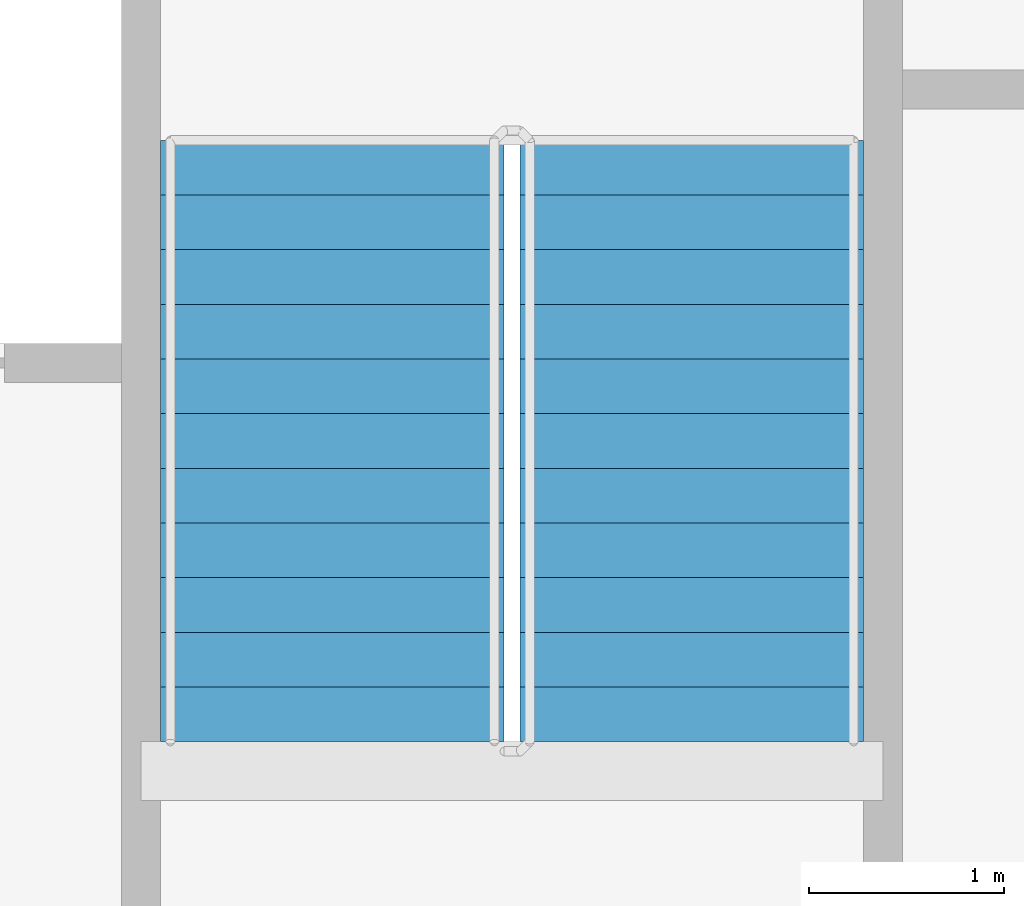
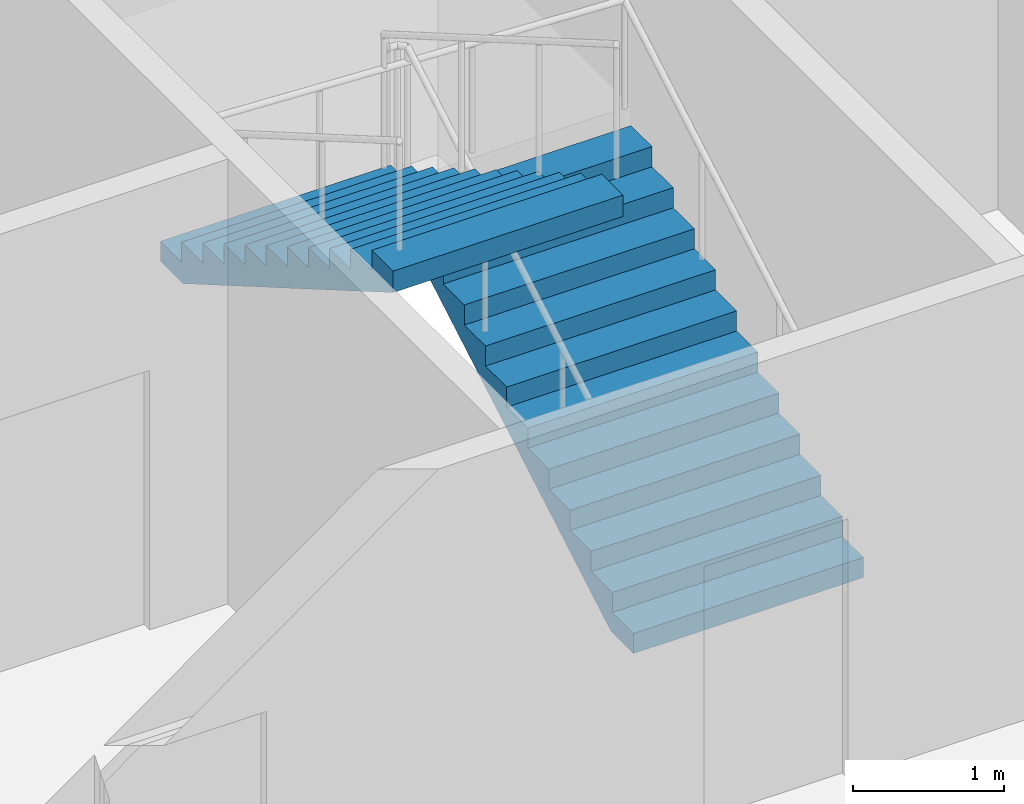
# One storey, part 10 of 13: 2 stair flights, 1 element without a shape of its own.
"""IFC4 building model written with IfcOpenShell, lengths in metres."""

from ifc_helpers import new_model, si_unit, direction, frame, origin, place, context, subcontext, project, spatial, faceted_brep, material, type_object, element, aggregate, save


model = new_model("IFC4")

# Units and contexts
model_context = context("Model", 3, precision=1e-05, world=origin(), true_north=direction((0.0, 1.0)))
body_context = subcontext(model_context, "Body", "Model", "MODEL_VIEW")
ifc_project = project(units=[si_unit("LENGTHUNIT", "METRE"), si_unit("AREAUNIT", "SQUARE_METRE"), si_unit("VOLUMEUNIT", "CUBIC_METRE"), si_unit("PLANEANGLEUNIT", "RADIAN"), si_unit("MASSUNIT", "GRAM", prefix="KILO")], contexts=[model_context])

# Site, building, storey
site_placement = place(None, origin())
site = spatial("IfcSite", under=ifc_project, at=site_placement, CompositionType="ELEMENT")
building_placement = place(site_placement, origin())
building = spatial("IfcBuilding", under=site, at=building_placement, Name="Tarsis Ring Headquarters", CompositionType="ELEMENT")
storey_placement = place(building_placement, frame((0.0, 0.0, 135.699951171875)))
storey = spatial("IfcBuildingStorey", under=building, at=storey_placement, Name="L31", CompositionType="ELEMENT", Elevation=135.699951171875)

# Stair, stair flights
ifc_material_1 = material(Name="Core stair 1760")
stair_type = type_object("IfcStairType", Name="Core stair 1760", PredefinedType="HALF_TURN_STAIR", material=ifc_material_1)
stair_placement = place(storey_placement, origin())
stair = element("IfcStair", 1, at=stair_placement, inside=storey, type_object=stair_type, Name="L31 Exit stair B", PredefinedType="HALF_TURN_STAIR")
ifc_material_2 = material(Name="Concrete C40/50", Category="concrete")
stair_flight_type = type_object("IfcStairFlightType", Name="Core stair flight 1760", PredefinedType="STRAIGHT", material=ifc_material_2)
stair_flight_1_placement = place(storey_placement, frame((5.419921875, 3.659912109375, 0.0), z_axis=(0.0, 0.0, 1.0), x_axis=(0.0, 1.0, 0.0)))
stair_flight_1 = element("IfcStairFlight", 2, at=stair_flight_1_placement, type_object=stair_flight_type, Name="Stair ST2 flight 1", NumberOfRisers=12, NumberOfTreads=11, PredefinedType="STRAIGHT", RiserHeight=0.1625, TreadLength=0.28, context=body_context, shape_type="Brep", body=[
    faceted_brep([(0.0, 0.8798828125, 0.0), (0.0, 0.8798828125, 0.16259765625), (0.280029296875, 0.8798828125, 0.16259765625), (0.280029296875, 0.8798828125, 0.324951171875), (0.56005859375, 0.8798828125, 0.324951171875), (0.56005859375, 0.8798828125, 0.487548828125), (0.840087890625, 0.8798828125, 0.487548828125), (0.840087890625, 0.8798828125, 0.64990234375), (1.1201171875, 0.8798828125, 0.64990234375), (1.1201171875, 0.8798828125, 0.8125), (1.39990234375, 0.8798828125, 0.8125), (1.39990234375, 0.8798828125, 0.97509765625), (1.679931640625, 0.8798828125, 0.97509765625), (1.679931640625, 0.8798828125, 1.137451171875), (1.9599609375, 0.8798828125, 1.137451171875), (1.9599609375, 0.8798828125, 1.300048828125), (2.239990234375, 0.8798828125, 1.300048828125), (2.239990234375, 0.8798828125, 1.46240234375), (2.52001953125, 0.8798828125, 1.46240234375), (2.52001953125, 0.8798828125, 1.625), (2.800048828125, 0.8798828125, 1.625), (2.800048828125, 0.8798828125, 1.78759765625), (3.080078125, 0.8798828125, 1.78759765625), (3.080078125, 0.8798828125, 1.6142578125), (0.298583984375, 0.8798828125, 0.0), (0.298583984375, -0.8798828125, 0.0), (3.080078125, -0.8798828125, 1.6142578125), (3.080078125, -0.8798828125, 1.78759765625), (2.800048828125, -0.8798828125, 1.78759765625), (2.800048828125, -0.8798828125, 1.625), (2.52001953125, -0.8798828125, 1.625), (2.52001953125, -0.8798828125, 1.46240234375), (2.239990234375, -0.8798828125, 1.46240234375), (2.239990234375, -0.8798828125, 1.300048828125), (1.9599609375, -0.8798828125, 1.300048828125), (1.9599609375, -0.8798828125, 1.137451171875), (1.679931640625, -0.8798828125, 1.137451171875), (1.679931640625, -0.8798828125, 0.97509765625), (1.39990234375, -0.8798828125, 0.97509765625), (1.39990234375, -0.8798828125, 0.8125), (1.1201171875, -0.8798828125, 0.8125), (1.1201171875, -0.8798828125, 0.64990234375), (0.840087890625, -0.8798828125, 0.64990234375), (0.840087890625, -0.8798828125, 0.487548828125), (0.56005859375, -0.8798828125, 0.487548828125), (0.56005859375, -0.8798828125, 0.324951171875), (0.280029296875, -0.8798828125, 0.324951171875), (0.280029296875, -0.8798828125, 0.16259765625), (0.0, -0.8798828125, 0.16259765625), (0.0, -0.8798828125, 0.0), (0.0, -0.43994140625, 0.16259765625), (0.0, -0.43994140625, 0.0), (0.0, 0.0, 0.16259765625), (0.0, 0.0, 0.0), (0.0, 0.43994140625, 0.16259765625), (0.0, 0.43994140625, 0.0), (0.280029296875, -0.43994140625, 0.16259765625), (0.280029296875, 0.0, 0.16259765625), (0.280029296875, 0.43994140625, 0.16259765625), (0.280029296875, -0.43994140625, 0.324951171875), (0.280029296875, 0.0, 0.324951171875), (0.280029296875, 0.43994140625, 0.324951171875), (0.56005859375, -0.43994140625, 0.324951171875), (0.56005859375, 0.0, 0.324951171875), (0.56005859375, 0.43994140625, 0.324951171875), (0.56005859375, -0.43994140625, 0.487548828125), (0.56005859375, 0.0, 0.487548828125), (0.56005859375, 0.43994140625, 0.487548828125), (0.840087890625, -0.43994140625, 0.487548828125), (0.840087890625, 0.0, 0.487548828125), (0.840087890625, 0.43994140625, 0.487548828125), (0.840087890625, -0.43994140625, 0.64990234375), (0.840087890625, 0.0, 0.64990234375), (0.840087890625, 0.43994140625, 0.64990234375), (1.1201171875, -0.43994140625, 0.64990234375), (1.1201171875, 0.0, 0.64990234375), (1.1201171875, 0.43994140625, 0.64990234375), (1.1201171875, -0.43994140625, 0.8125), (1.1201171875, 0.0, 0.8125), (1.1201171875, 0.43994140625, 0.8125), (1.39990234375, -0.43994140625, 0.8125), (1.39990234375, 0.0, 0.8125), (1.39990234375, 0.43994140625, 0.8125), (1.39990234375, -0.43994140625, 0.97509765625), (1.39990234375, 0.0, 0.97509765625), (1.39990234375, 0.43994140625, 0.97509765625), (1.679931640625, -0.43994140625, 0.97509765625), (1.679931640625, 0.0, 0.97509765625), (1.679931640625, 0.43994140625, 0.97509765625), (1.679931640625, -0.43994140625, 1.137451171875), (1.679931640625, 0.0, 1.137451171875), (1.679931640625, 0.43994140625, 1.137451171875), (1.9599609375, -0.43994140625, 1.137451171875), (1.9599609375, 0.0, 1.137451171875), (1.9599609375, 0.43994140625, 1.137451171875), (1.9599609375, -0.43994140625, 1.300048828125), (1.9599609375, 0.0, 1.300048828125), (1.9599609375, 0.43994140625, 1.300048828125), (2.239990234375, -0.43994140625, 1.300048828125), (2.239990234375, 0.0, 1.300048828125), (2.239990234375, 0.43994140625, 1.300048828125), (2.239990234375, -0.43994140625, 1.46240234375), (2.239990234375, 0.0, 1.46240234375), (2.239990234375, 0.43994140625, 1.46240234375), (2.52001953125, -0.43994140625, 1.46240234375), (2.52001953125, 0.0, 1.46240234375), (2.52001953125, 0.43994140625, 1.46240234375), (2.52001953125, -0.43994140625, 1.625), (2.52001953125, 0.0, 1.625), (2.52001953125, 0.43994140625, 1.625), (2.800048828125, -0.43994140625, 1.625), (2.800048828125, 0.0, 1.625), (2.800048828125, 0.43994140625, 1.625), (2.800048828125, -0.43994140625, 1.78759765625), (2.800048828125, 0.0, 1.78759765625), (2.800048828125, 0.43994140625, 1.78759765625), (3.080078125, -0.43994140625, 1.78759765625), (3.080078125, 0.0, 1.78759765625), (3.080078125, 0.43994140625, 1.78759765625), (3.080078125, -0.43994140625, 1.6142578125), (3.080078125, 0.0, 1.6142578125), (3.080078125, 0.43994140625, 1.6142578125), (0.298583984375, -0.43994140625, 0.0), (0.298583984375, 0.0, 0.0), (0.298583984375, 0.43994140625, 0.0)], [[[0, 1, 2, 3, 4, 5, 6, 7, 8, 9, 10, 11, 12, 13, 14, 15, 16, 17, 18, 19, 20, 21, 22, 23, 24]], [[25, 26, 27, 28, 29, 30, 31, 32, 33, 34, 35, 36, 37, 38, 39, 40, 41, 42, 43, 44, 45, 46, 47, 48, 49]], [[49, 48, 50, 51]], [[51, 50, 52, 53]], [[53, 52, 54, 55]], [[55, 54, 1, 0]], [[48, 47, 56, 50]], [[50, 56, 57, 52]], [[52, 57, 58, 54]], [[54, 58, 2, 1]], [[47, 46, 59, 56]], [[56, 59, 60, 57]], [[57, 60, 61, 58]], [[58, 61, 3, 2]], [[46, 45, 62, 59]], [[59, 62, 63, 60]], [[60, 63, 64, 61]], [[61, 64, 4, 3]], [[45, 44, 65, 62]], [[62, 65, 66, 63]], [[63, 66, 67, 64]], [[64, 67, 5, 4]], [[44, 43, 68, 65]], [[65, 68, 69, 66]], [[66, 69, 70, 67]], [[67, 70, 6, 5]], [[43, 42, 71, 68]], [[68, 71, 72, 69]], [[69, 72, 73, 70]], [[70, 73, 7, 6]], [[42, 41, 74, 71]], [[71, 74, 75, 72]], [[72, 75, 76, 73]], [[73, 76, 8, 7]], [[41, 40, 77, 74]], [[74, 77, 78, 75]], [[75, 78, 79, 76]], [[76, 79, 9, 8]], [[40, 39, 80, 77]], [[77, 80, 81, 78]], [[78, 81, 82, 79]], [[79, 82, 10, 9]], [[39, 38, 83, 80]], [[80, 83, 84, 81]], [[81, 84, 85, 82]], [[82, 85, 11, 10]], [[38, 37, 86, 83]], [[83, 86, 87, 84]], [[84, 87, 88, 85]], [[85, 88, 12, 11]], [[37, 36, 89, 86]], [[86, 89, 90, 87]], [[87, 90, 91, 88]], [[88, 91, 13, 12]], [[36, 35, 92, 89]], [[89, 92, 93, 90]], [[90, 93, 94, 91]], [[91, 94, 14, 13]], [[35, 34, 95, 92]], [[92, 95, 96, 93]], [[93, 96, 97, 94]], [[94, 97, 15, 14]], [[34, 33, 98, 95]], [[95, 98, 99, 96]], [[96, 99, 100, 97]], [[97, 100, 16, 15]], [[33, 32, 101, 98]], [[98, 101, 102, 99]], [[99, 102, 103, 100]], [[100, 103, 17, 16]], [[32, 31, 104, 101]], [[101, 104, 105, 102]], [[102, 105, 106, 103]], [[103, 106, 18, 17]], [[31, 30, 107, 104]], [[104, 107, 108, 105]], [[105, 108, 109, 106]], [[106, 109, 19, 18]], [[30, 29, 110, 107]], [[107, 110, 111, 108]], [[108, 111, 112, 109]], [[109, 112, 20, 19]], [[29, 28, 113, 110]], [[110, 113, 114, 111]], [[111, 114, 115, 112]], [[112, 115, 21, 20]], [[28, 27, 116, 113]], [[113, 116, 117, 114]], [[114, 117, 118, 115]], [[115, 118, 22, 21]], [[27, 26, 119, 116]], [[116, 119, 120, 117]], [[117, 120, 121, 118]], [[118, 121, 23, 22]], [[26, 25, 122, 119]], [[119, 122, 123, 120]], [[120, 123, 124, 121]], [[121, 124, 24, 23]], [[25, 49, 51, 122]], [[122, 51, 53, 123]], [[123, 53, 55, 124]], [[124, 55, 0, 24]]]),
])
stair_flight_2_placement = place(storey_placement, frame((3.580078125, 6.739990234375, 1.949951171875), z_axis=(0.0, 0.0, 1.0), x_axis=(0.0, -1.0, 0.0)))
stair_flight_2 = element("IfcStairFlight", 3, at=stair_flight_2_placement, type_object=stair_flight_type, Name="Stair ST2 flight 2", NumberOfRisers=12, NumberOfTreads=11, PredefinedType="STRAIGHT", RiserHeight=0.1625, TreadLength=0.28, context=body_context, shape_type="Brep", body=[
    faceted_brep([(0.0, 0.8798828125, 0.0), (0.0, 0.8798828125, 0.16259765625), (0.280029296875, 0.8798828125, 0.16259765625), (0.280029296875, 0.8798828125, 0.324951171875), (0.56005859375, 0.8798828125, 0.324951171875), (0.56005859375, 0.8798828125, 0.487548828125), (0.840087890625, 0.8798828125, 0.487548828125), (0.840087890625, 0.8798828125, 0.64990234375), (1.1201171875, 0.8798828125, 0.64990234375), (1.1201171875, 0.8798828125, 0.8125), (1.39990234375, 0.8798828125, 0.8125), (1.39990234375, 0.8798828125, 0.97509765625), (1.679931640625, 0.8798828125, 0.97509765625), (1.679931640625, 0.8798828125, 1.137451171875), (1.9599609375, 0.8798828125, 1.137451171875), (1.9599609375, 0.8798828125, 1.300048828125), (2.239990234375, 0.8798828125, 1.300048828125), (2.239990234375, 0.8798828125, 1.46240234375), (2.52001953125, 0.8798828125, 1.46240234375), (2.52001953125, 0.8798828125, 1.625), (2.800048828125, 0.8798828125, 1.625), (2.800048828125, 0.8798828125, 1.78759765625), (3.080078125, 0.8798828125, 1.78759765625), (3.080078125, 0.8798828125, 1.6142578125), (0.298583984375, 0.8798828125, 0.0), (0.298583984375, -0.8798828125, 0.0), (3.080078125, -0.8798828125, 1.6142578125), (3.080078125, -0.8798828125, 1.78759765625), (2.800048828125, -0.8798828125, 1.78759765625), (2.800048828125, -0.8798828125, 1.625), (2.52001953125, -0.8798828125, 1.625), (2.52001953125, -0.8798828125, 1.46240234375), (2.239990234375, -0.8798828125, 1.46240234375), (2.239990234375, -0.8798828125, 1.300048828125), (1.9599609375, -0.8798828125, 1.300048828125), (1.9599609375, -0.8798828125, 1.137451171875), (1.679931640625, -0.8798828125, 1.137451171875), (1.679931640625, -0.8798828125, 0.97509765625), (1.39990234375, -0.8798828125, 0.97509765625), (1.39990234375, -0.8798828125, 0.8125), (1.1201171875, -0.8798828125, 0.8125), (1.1201171875, -0.8798828125, 0.64990234375), (0.840087890625, -0.8798828125, 0.64990234375), (0.840087890625, -0.8798828125, 0.487548828125), (0.56005859375, -0.8798828125, 0.487548828125), (0.56005859375, -0.8798828125, 0.324951171875), (0.280029296875, -0.8798828125, 0.324951171875), (0.280029296875, -0.8798828125, 0.16259765625), (0.0, -0.8798828125, 0.16259765625), (0.0, -0.8798828125, 0.0), (0.0, -0.43994140625, 0.16259765625), (0.0, -0.43994140625, 0.0), (0.0, 0.0, 0.16259765625), (0.0, 0.0, 0.0), (0.0, 0.43994140625, 0.16259765625), (0.0, 0.43994140625, 0.0), (0.280029296875, -0.43994140625, 0.16259765625), (0.280029296875, 0.0, 0.16259765625), (0.280029296875, 0.43994140625, 0.16259765625), (0.280029296875, -0.43994140625, 0.324951171875), (0.280029296875, 0.0, 0.324951171875), (0.280029296875, 0.43994140625, 0.324951171875), (0.56005859375, -0.43994140625, 0.324951171875), (0.56005859375, 0.0, 0.324951171875), (0.56005859375, 0.43994140625, 0.324951171875), (0.56005859375, -0.43994140625, 0.487548828125), (0.56005859375, 0.0, 0.487548828125), (0.56005859375, 0.43994140625, 0.487548828125), (0.840087890625, -0.43994140625, 0.487548828125), (0.840087890625, 0.0, 0.487548828125), (0.840087890625, 0.43994140625, 0.487548828125), (0.840087890625, -0.43994140625, 0.64990234375), (0.840087890625, 0.0, 0.64990234375), (0.840087890625, 0.43994140625, 0.64990234375), (1.1201171875, -0.43994140625, 0.64990234375), (1.1201171875, 0.0, 0.64990234375), (1.1201171875, 0.43994140625, 0.64990234375), (1.1201171875, -0.43994140625, 0.8125), (1.1201171875, 0.0, 0.8125), (1.1201171875, 0.43994140625, 0.8125), (1.39990234375, -0.43994140625, 0.8125), (1.39990234375, 0.0, 0.8125), (1.39990234375, 0.43994140625, 0.8125), (1.39990234375, -0.43994140625, 0.97509765625), (1.39990234375, 0.0, 0.97509765625), (1.39990234375, 0.43994140625, 0.97509765625), (1.679931640625, -0.43994140625, 0.97509765625), (1.679931640625, 0.0, 0.97509765625), (1.679931640625, 0.43994140625, 0.97509765625), (1.679931640625, -0.43994140625, 1.137451171875), (1.679931640625, 0.0, 1.137451171875), (1.679931640625, 0.43994140625, 1.137451171875), (1.9599609375, -0.43994140625, 1.137451171875), (1.9599609375, 0.0, 1.137451171875), (1.9599609375, 0.43994140625, 1.137451171875), (1.9599609375, -0.43994140625, 1.300048828125), (1.9599609375, 0.0, 1.300048828125), (1.9599609375, 0.43994140625, 1.300048828125), (2.239990234375, -0.43994140625, 1.300048828125), (2.239990234375, 0.0, 1.300048828125), (2.239990234375, 0.43994140625, 1.300048828125), (2.239990234375, -0.43994140625, 1.46240234375), (2.239990234375, 0.0, 1.46240234375), (2.239990234375, 0.43994140625, 1.46240234375), (2.52001953125, -0.43994140625, 1.46240234375), (2.52001953125, 0.0, 1.46240234375), (2.52001953125, 0.43994140625, 1.46240234375), (2.52001953125, -0.43994140625, 1.625), (2.52001953125, 0.0, 1.625), (2.52001953125, 0.43994140625, 1.625), (2.800048828125, -0.43994140625, 1.625), (2.800048828125, 0.0, 1.625), (2.800048828125, 0.43994140625, 1.625), (2.800048828125, -0.43994140625, 1.78759765625), (2.800048828125, 0.0, 1.78759765625), (2.800048828125, 0.43994140625, 1.78759765625), (3.080078125, -0.43994140625, 1.78759765625), (3.080078125, 0.0, 1.78759765625), (3.080078125, 0.43994140625, 1.78759765625), (3.080078125, -0.43994140625, 1.6142578125), (3.080078125, 0.0, 1.6142578125), (3.080078125, 0.43994140625, 1.6142578125), (0.298583984375, -0.43994140625, 0.0), (0.298583984375, 0.0, 0.0), (0.298583984375, 0.43994140625, 0.0)], [[[0, 1, 2, 3, 4, 5, 6, 7, 8, 9, 10, 11, 12, 13, 14, 15, 16, 17, 18, 19, 20, 21, 22, 23, 24]], [[25, 26, 27, 28, 29, 30, 31, 32, 33, 34, 35, 36, 37, 38, 39, 40, 41, 42, 43, 44, 45, 46, 47, 48, 49]], [[49, 48, 50, 51]], [[51, 50, 52, 53]], [[53, 52, 54, 55]], [[55, 54, 1, 0]], [[48, 47, 56, 50]], [[50, 56, 57, 52]], [[52, 57, 58, 54]], [[54, 58, 2, 1]], [[47, 46, 59, 56]], [[56, 59, 60, 57]], [[57, 60, 61, 58]], [[58, 61, 3, 2]], [[46, 45, 62, 59]], [[59, 62, 63, 60]], [[60, 63, 64, 61]], [[61, 64, 4, 3]], [[45, 44, 65, 62]], [[62, 65, 66, 63]], [[63, 66, 67, 64]], [[64, 67, 5, 4]], [[44, 43, 68, 65]], [[65, 68, 69, 66]], [[66, 69, 70, 67]], [[67, 70, 6, 5]], [[43, 42, 71, 68]], [[68, 71, 72, 69]], [[69, 72, 73, 70]], [[70, 73, 7, 6]], [[42, 41, 74, 71]], [[71, 74, 75, 72]], [[72, 75, 76, 73]], [[73, 76, 8, 7]], [[41, 40, 77, 74]], [[74, 77, 78, 75]], [[75, 78, 79, 76]], [[76, 79, 9, 8]], [[40, 39, 80, 77]], [[77, 80, 81, 78]], [[78, 81, 82, 79]], [[79, 82, 10, 9]], [[39, 38, 83, 80]], [[80, 83, 84, 81]], [[81, 84, 85, 82]], [[82, 85, 11, 10]], [[38, 37, 86, 83]], [[83, 86, 87, 84]], [[84, 87, 88, 85]], [[85, 88, 12, 11]], [[37, 36, 89, 86]], [[86, 89, 90, 87]], [[87, 90, 91, 88]], [[88, 91, 13, 12]], [[36, 35, 92, 89]], [[89, 92, 93, 90]], [[90, 93, 94, 91]], [[91, 94, 14, 13]], [[35, 34, 95, 92]], [[92, 95, 96, 93]], [[93, 96, 97, 94]], [[94, 97, 15, 14]], [[34, 33, 98, 95]], [[95, 98, 99, 96]], [[96, 99, 100, 97]], [[97, 100, 16, 15]], [[33, 32, 101, 98]], [[98, 101, 102, 99]], [[99, 102, 103, 100]], [[100, 103, 17, 16]], [[32, 31, 104, 101]], [[101, 104, 105, 102]], [[102, 105, 106, 103]], [[103, 106, 18, 17]], [[31, 30, 107, 104]], [[104, 107, 108, 105]], [[105, 108, 109, 106]], [[106, 109, 19, 18]], [[30, 29, 110, 107]], [[107, 110, 111, 108]], [[108, 111, 112, 109]], [[109, 112, 20, 19]], [[29, 28, 113, 110]], [[110, 113, 114, 111]], [[111, 114, 115, 112]], [[112, 115, 21, 20]], [[28, 27, 116, 113]], [[113, 116, 117, 114]], [[114, 117, 118, 115]], [[115, 118, 22, 21]], [[27, 26, 119, 116]], [[116, 119, 120, 117]], [[117, 120, 121, 118]], [[118, 121, 23, 22]], [[26, 25, 122, 119]], [[119, 122, 123, 120]], [[120, 123, 124, 121]], [[121, 124, 24, 23]], [[25, 49, 51, 122]], [[122, 51, 53, 123]], [[123, 53, 55, 124]], [[124, 55, 0, 24]]]),
])
aggregate(stair, [stair_flight_1, stair_flight_2])

save(model, "model.ifc")
